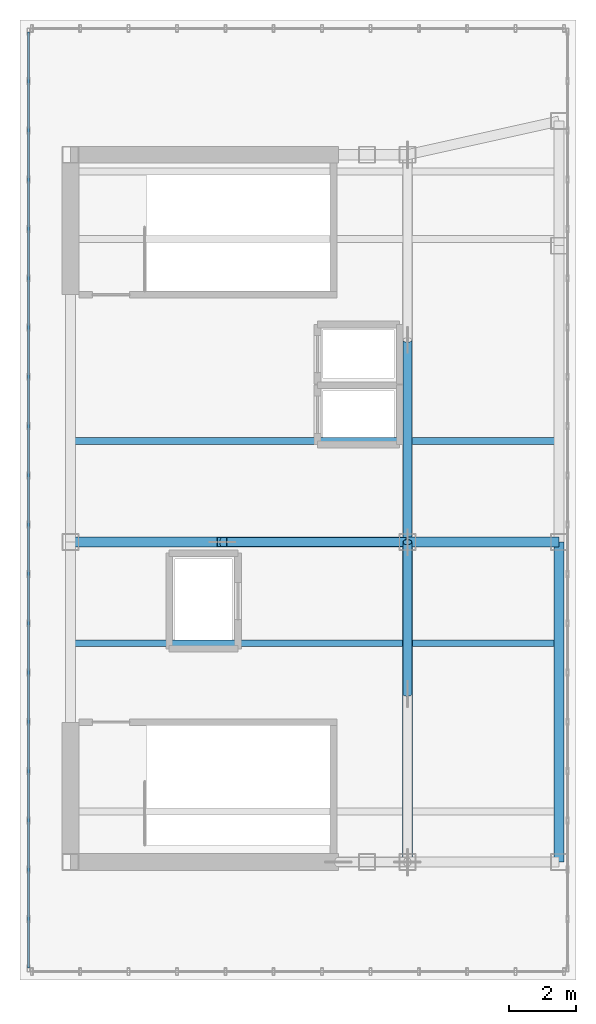
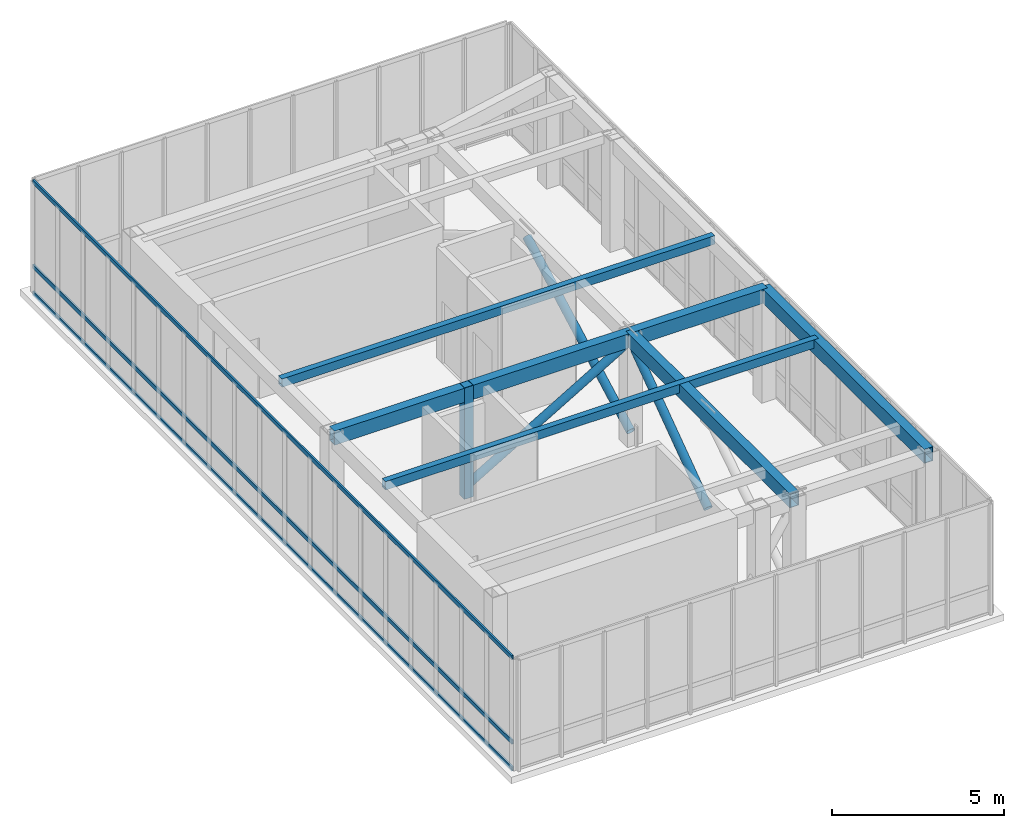
# One storey, part 4 of 13: 9 members, 4 beams, 1 element without a shape of its own.
"""IFC4 building model written with IfcOpenShell, lengths in metres."""

from ifc_helpers import new_model, si_unit, direction, frame, origin, origin_2d, place, context, subcontext, project, spatial, hollow_rectangle, hollow_circle, extrude, source, transform, mapped, material, layer, layer_set, material_profile, profile_set, type_object, element, aggregate, save


model = new_model("IFC4")

# Units and contexts
model_context = context("Model", 3, precision=1e-05, world=origin(), true_north=direction((0.0, 1.0)))
body_context = subcontext(model_context, "Body", "Model", "MODEL_VIEW")
ifc_project = project(units=[si_unit("LENGTHUNIT", "METRE"), si_unit("AREAUNIT", "SQUARE_METRE"), si_unit("VOLUMEUNIT", "CUBIC_METRE"), si_unit("PLANEANGLEUNIT", "RADIAN"), si_unit("MASSUNIT", "GRAM", prefix="KILO")], contexts=[model_context])

# Site, building, storey
site_placement = place(None, origin())
site = spatial("IfcSite", under=ifc_project, at=site_placement, CompositionType="ELEMENT")
building_placement = place(site_placement, origin())
building = spatial("IfcBuilding", under=site, at=building_placement, Name="Kharzan Plaza Tower", CompositionType="ELEMENT")
storey_placement = place(building_placement, frame((0.0, 0.0, 298.199951171875)))
storey = spatial("IfcBuildingStorey", under=building, at=storey_placement, Name="L80-CROWN", CompositionType="ELEMENT", Elevation=298.199951171875)

# Beams
ifc_material_1 = material(Name="Steel S355", Category="steel")
ifc_material_profile_1 = material_profile(ifc_material_1, hollow_rectangle(XDim=0.300048828125, YDim=0.5, WallThickness=0.02001953125, at=origin_2d()), Name="RHS500x300x20")
ifc_profile_set_1 = profile_set([ifc_material_profile_1], Name="Steel S355")
beam_type = type_object("IfcBeamType", Name="BM-CRN500", PredefinedType="BEAM", material=ifc_profile_set_1)
shared_shape_1 = source(origin(), body_context, "Body", "SweptSolid", [
    extrude(hollow_rectangle(XDim=0.300048828125, YDim=0.5, WallThickness=0.02001953125, at=origin_2d()), origin(), (0.0, 0.0, 1.0), 9.5),
])
for number, where, z_axis, x_axis, name in (
    (1, (19.0, 8.5, 3.68994140625), (0.0, 1.0, 0.0), (-1.0, 0.0, 0.0), "L80-CROWN CROWN FRAME Lantern Ring Beam CRB-E1"),
    (2, (14.5, 8.5, 3.68994140625), (0.0, 1.0, 0.0), (-1.0, 0.0, 0.0), "L80-CROWN CROWN FRAME Lantern Ring Beam CRB-M1"),
):
    element("IfcBeam", number, at=place(storey_placement, frame(where, z_axis=z_axis, x_axis=x_axis)), inside=storey, type_object=beam_type, Name=name, PredefinedType="BEAM", context=body_context, shape_type="MappedRepresentation", body=[
        mapped(shared_shape_1, transform((0.0, 0.0, 0.0), x_axis=(1.0, 0.0, 0.0), y_axis=(0.0, 1.0, 0.0), z_axis=(0.0, 0.0, 1.0))),
    ])
shared_shape_2 = source(origin(), body_context, "Body", "SweptSolid", [
    extrude(hollow_rectangle(XDim=0.300048828125, YDim=0.5, WallThickness=0.02001953125, at=origin_2d()), origin(), (0.0, 0.0, 1.0), 10.0),
])
beam_1_placement = place(storey_placement, frame((4.5, 18.0, 3.68994140625), z_axis=(1.0, 0.0, 0.0), x_axis=(0.0, 1.0, 0.0)))
element("IfcBeam", 3, at=beam_1_placement, inside=storey, type_object=beam_type, Name="L80-CROWN CROWN FRAME Lantern Ring Beam CRB-I1", PredefinedType="BEAM", context=body_context, shape_type="MappedRepresentation", body=[
    mapped(shared_shape_2, transform((0.0, 0.0, 0.0), x_axis=(1.0, 0.0, 0.0), y_axis=(0.0, 1.0, 0.0), z_axis=(0.0, 0.0, 1.0))),
])
shared_shape_3 = source(origin(), body_context, "Body", "SweptSolid", [
    extrude(hollow_rectangle(XDim=0.300048828125, YDim=0.5, WallThickness=0.02001953125, at=origin_2d()), origin(), (0.0, 0.0, 1.0), 4.5),
])
beam_2_placement = place(storey_placement, frame((14.5, 18.0, 3.68994140625), z_axis=(1.0, 0.0, 0.0), x_axis=(0.0, 1.0, 0.0)))
element("IfcBeam", 4, at=beam_2_placement, inside=storey, type_object=beam_type, Name="L80-CROWN CROWN FRAME Lantern Ring Beam CRB-I2", PredefinedType="BEAM", context=body_context, shape_type="MappedRepresentation", body=[
    mapped(shared_shape_3, transform((0.0, 0.0, 0.0), x_axis=(1.0, 0.0, 0.0), y_axis=(0.0, 1.0, 0.0), z_axis=(0.0, 0.0, 1.0))),
])

# Curtain wall, members
ifc_material_2 = material(Name="Unitised Bronze-Anodized Aluminium and Low-E Glass", Category="aluminium")
ifc_layer = layer(ifc_material_2, 0.199951171875)
ifc_layer_set = layer_set([ifc_layer], Name="Unitised Bronze-Anodized Aluminium and Low-E Glass")
curtain_wall_type = type_object("IfcCurtainWallType", Name="CW-LANTERN-6", PredefinedType="NOTDEFINED", material=ifc_layer_set)
curtain_wall_placement = place(storey_placement, origin())
curtain_wall = element("IfcCurtainWall", 5, at=curtain_wall_placement, inside=storey, type_object=curtain_wall_type, Name="L80-CROWN Lantern Crown Illuminated Curtain Wall 4", PredefinedType="NOTDEFINED")
ifc_material_3 = material(Name="Anodized Bronze Aluminium", Category="aluminium")
ifc_material_profile_2 = material_profile(ifc_material_3, hollow_rectangle(XDim=0.06005859375, YDim=0.14990234375, WallThickness=0.00341796875, at=origin_2d()), Name="ALU-T150x60x3.5")
ifc_profile_set_2 = profile_set([ifc_material_profile_2], Name="Anodized Bronze Aluminium")
member_type_1 = type_object("IfcMemberType", Name="MEM-CW-TRN150", PredefinedType="USERDEFINED", material=ifc_profile_set_2)
shared_shape_4 = source(origin(), body_context, "Body", "SweptSolid", [
    extrude(hollow_rectangle(XDim=0.06005859375, YDim=0.14990234375, WallThickness=0.00341796875, at=origin_2d()), origin(), (0.0, 0.0, 1.0), 27.7998046875),
])
member_1_placement = place(storey_placement, frame((3.25, 33.14990234375, 0.0), z_axis=(0.0, -1.0, 0.0), x_axis=(1.0, 0.0, 0.0)))
member_1 = element("IfcMember", 6, at=member_1_placement, type_object=member_type_1, Name="L80-CROWN Curtain-Wall Transom 1", ObjectType="TRANSOM", PredefinedType="USERDEFINED", context=body_context, shape_type="MappedRepresentation", body=[
    mapped(shared_shape_4, transform((0.0, 0.0, 0.0), x_axis=(1.0, 0.0, 0.0), y_axis=(0.0, 1.0, 0.0), z_axis=(0.0, 0.0, 1.0))),
])
member_2_placement = place(storey_placement, frame((3.25, 33.14990234375, 0.949951171875), z_axis=(0.0, -1.0, 0.0), x_axis=(1.0, 0.0, 0.0)))
member_2 = element("IfcMember", 7, at=member_2_placement, type_object=member_type_1, Name="L80-CROWN Curtain-Wall Transom 2", ObjectType="TRANSOM", PredefinedType="USERDEFINED", context=body_context, shape_type="MappedRepresentation", body=[
    mapped(shared_shape_4, transform((0.0, 0.0, 0.0), x_axis=(1.0, 0.0, 0.0), y_axis=(0.0, 1.0, 0.0), z_axis=(0.0, 0.0, 1.0))),
])
member_3_placement = place(storey_placement, frame((3.25, 33.14990234375, 3.93994140625), z_axis=(0.0, -1.0, 0.0), x_axis=(1.0, 0.0, 0.0)))
member_3 = element("IfcMember", 8, at=member_3_placement, type_object=member_type_1, Name="L80-CROWN Curtain-Wall Transom 3", ObjectType="TRANSOM", PredefinedType="USERDEFINED", context=body_context, shape_type="MappedRepresentation", body=[
    mapped(shared_shape_4, transform((0.0, 0.0, 0.0), x_axis=(1.0, 0.0, 0.0), y_axis=(0.0, 1.0, 0.0), z_axis=(0.0, 0.0, 1.0))),
])
aggregate(curtain_wall, [member_1, member_2, member_3])

# Members
ifc_material_profile_3 = material_profile(ifc_material_1, hollow_circle(Radius=0.136474609375, WallThickness=0.010009765625, at=origin_2d()), Name="CHS273x10")
ifc_profile_set_3 = profile_set([ifc_material_profile_3], Name="Steel S355")
member_type_2 = type_object("IfcMemberType", Name="MEM-CRN-DIAG", PredefinedType="BRACE", material=ifc_profile_set_3)
shared_shape_5 = source(origin(), body_context, "Body", "SweptSolid", [
    extrude(hollow_circle(Radius=0.136474609375, WallThickness=0.010009765625, at=origin_2d()), origin(), (0.0, 0.0, 1.0), 6.81884765625),
])
member_4_placement = place(storey_placement, frame((14.5, 18.0, 0.35009765625), z_axis=(0.0, 0.879905996414, 0.475147805925), x_axis=(-1.0, 0.0, 0.0)))
element("IfcMember", 9, at=member_4_placement, inside=storey, type_object=member_type_2, Name="L80-CROWN CROWN FRAME Diagonal Wind Brace CRD-E1", PredefinedType="BRACE", context=body_context, shape_type="MappedRepresentation", body=[
    mapped(shared_shape_5, transform((0.0, 0.0, 0.0), x_axis=(1.0, 0.0, 0.0), y_axis=(0.0, 1.0, 0.0), z_axis=(0.0, 0.0, 1.0))),
])
shared_shape_6 = source(origin(), body_context, "Body", "SweptSolid", [
    extrude(hollow_circle(Radius=0.136474609375, WallThickness=0.010009765625, at=origin_2d()), origin(), (0.0, 0.0, 1.0), 6.38330078125),
])
member_5_placement = place(storey_placement, frame((9.0, 18.0, 0.35009765625), z_axis=(0.861612537024, 0.0, 0.507566582868), x_axis=(0.0, 1.0, 0.0)))
element("IfcMember", 10, at=member_5_placement, inside=storey, type_object=member_type_2, Name="L80-CROWN CROWN FRAME Diagonal Wind Brace CRD-W1", PredefinedType="BRACE", context=body_context, shape_type="MappedRepresentation", body=[
    mapped(shared_shape_6, transform((0.0, 0.0, 0.0), x_axis=(1.0, 0.0, 0.0), y_axis=(0.0, 1.0, 0.0), z_axis=(0.0, 0.0, 1.0))),
])
shared_shape_7 = source(origin(), body_context, "Body", "SweptSolid", [
    extrude(hollow_circle(Radius=0.136474609375, WallThickness=0.010009765625, at=origin_2d()), origin(), (0.0, 0.0, 1.0), 5.545166015625),
])
member_6_placement = place(storey_placement, frame((14.5, 13.5, 0.35009765625), z_axis=(0.0, 0.811535176556, 0.584303565976), x_axis=(-1.0, 0.0, 0.0)))
element("IfcMember", 11, at=member_6_placement, inside=storey, type_object=member_type_2, Name="L80-CROWN CROWN FRAME Diagonal Wind Brace CRD-S2", PredefinedType="BRACE", context=body_context, shape_type="MappedRepresentation", body=[
    mapped(shared_shape_7, transform((0.0, 0.0, 0.0), x_axis=(1.0, 0.0, 0.0), y_axis=(0.0, 1.0, 0.0), z_axis=(0.0, 0.0, 1.0))),
])
ifc_material_profile_4 = material_profile(ifc_material_1, hollow_rectangle(XDim=0.300048828125, YDim=0.300048828125, WallThickness=0.01611328125, at=origin_2d()), Name="SHS300x300x16")
ifc_profile_set_4 = profile_set([ifc_material_profile_4], Name="Steel S355")
member_type_3 = type_object("IfcMemberType", Name="MEM-CRN-POST", PredefinedType="POST", material=ifc_profile_set_4)
shared_shape_8 = source(origin(), body_context, "Body", "SweptSolid", [
    extrude(hollow_rectangle(XDim=0.300048828125, YDim=0.300048828125, WallThickness=0.01611328125, at=origin_2d()), origin(), (0.0, 0.0, 1.0), 3.93994140625),
])
member_7_placement = place(storey_placement, frame((9.0, 18.0, 0.0), z_axis=(0.0, 0.0, 1.0), x_axis=(1.0, 0.0, 0.0)))
element("IfcMember", 12, at=member_7_placement, inside=storey, type_object=member_type_3, Name="L80-CROWN CROWN FRAME Lantern Post 1", PredefinedType="POST", context=body_context, shape_type="MappedRepresentation", body=[
    mapped(shared_shape_8, transform((0.0, 0.0, 0.0), x_axis=(1.0, 0.0, 0.0), y_axis=(0.0, 1.0, 0.0), z_axis=(0.0, 0.0, 1.0))),
])
ifc_material_profile_5 = material_profile(ifc_material_1, hollow_rectangle(XDim=0.199951171875, YDim=0.300048828125, WallThickness=0.012451171875, at=origin_2d()), Name="RHS300x200x12.5")
ifc_profile_set_5 = profile_set([ifc_material_profile_5], Name="Steel S355")
member_type_4 = type_object("IfcMemberType", Name="MEM-PRL-300", PredefinedType="CHORD", material=ifc_profile_set_5)
shared_shape_9 = source(origin(), body_context, "Body", "SweptSolid", [
    extrude(hollow_rectangle(XDim=0.199951171875, YDim=0.300048828125, WallThickness=0.012451171875, at=origin_2d()), origin(), (0.0, 0.0, 1.0), 14.5),
])
for number, where, z_axis, x_axis, name in (
    (13, (4.5, 15.0, 3.7900390625), (1.0, 0.0, 0.0), (0.0, 1.0, 0.0), "L80-CROWN CROWN FRAME Roof Support Chord 2"),
    (14, (4.5, 21.0, 3.7900390625), (1.0, 0.0, 0.0), (0.0, 1.0, 0.0), "L80-CROWN CROWN FRAME Roof Support Chord 3"),
):
    element("IfcMember", number, at=place(storey_placement, frame(where, z_axis=z_axis, x_axis=x_axis)), inside=storey, type_object=member_type_4, Name=name, PredefinedType="CHORD", context=body_context, shape_type="MappedRepresentation", body=[
        mapped(shared_shape_9, transform((0.0, 0.0, 0.0), x_axis=(1.0, 0.0, 0.0), y_axis=(0.0, 1.0, 0.0), z_axis=(0.0, 0.0, 1.0))),
    ])

save(model, "model.ifc")
